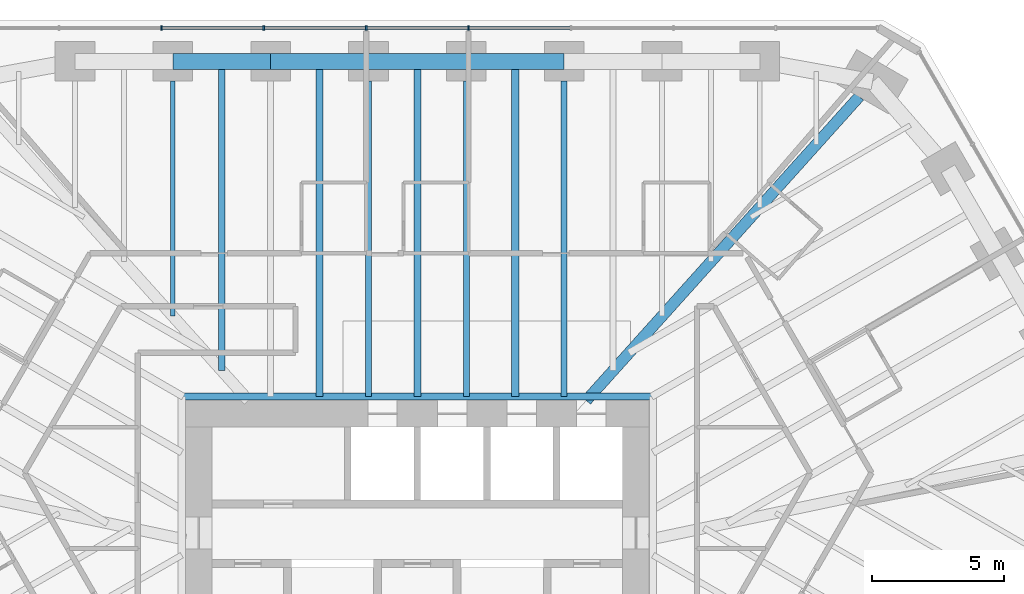
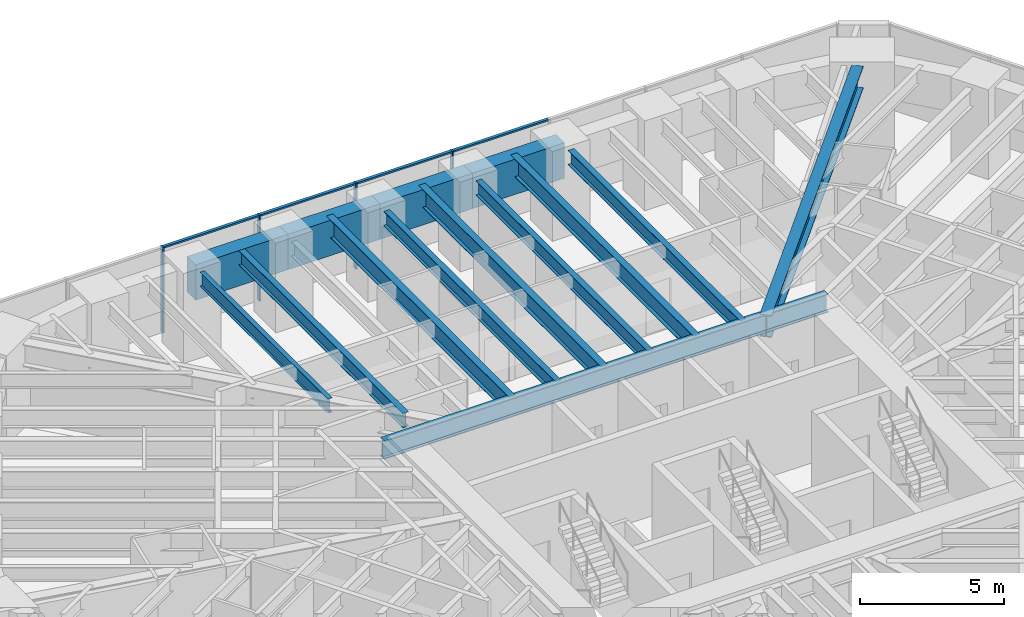
# One storey, part 8 of 16: 14 beams, 8 members, 1 element without a shape of its own.
"""IFC4 building model written with IfcOpenShell, lengths in metres."""

from ifc_helpers import new_model, si_unit, direction, frame, origin, origin_2d, place, context, subcontext, project, spatial, rectangle, i_section, extrude, material, material_profile, profile_set, type_object, element, aggregate, save


model = new_model("IFC4")

# Units and contexts
model_context = context("Model", 3, precision=1e-05, world=origin(), true_north=direction((0.0, 1.0)))
body_context = subcontext(model_context, "Body", "Model", "MODEL_VIEW")
ifc_project = project(units=[si_unit("LENGTHUNIT", "METRE"), si_unit("AREAUNIT", "SQUARE_METRE"), si_unit("VOLUMEUNIT", "CUBIC_METRE"), si_unit("PLANEANGLEUNIT", "RADIAN"), si_unit("MASSUNIT", "GRAM", prefix="KILO")], contexts=[model_context])

# Site, building, storey
site_placement = place(None, origin())
site = spatial("IfcSite", under=ifc_project, at=site_placement, CompositionType="ELEMENT")
building_placement = place(site_placement, origin())
building = spatial("IfcBuilding", under=site, at=building_placement, Name="Sandreach Pilgrim Tower", CompositionType="ELEMENT")
storey_placement = place(building_placement, frame((0.0, 0.0, 187.0)))
storey = spatial("IfcBuildingStorey", under=building, at=storey_placement, Name="L46", CompositionType="ELEMENT", Elevation=187.0)

# Curtain wall, members
ifc_material_1 = material(Name="Aluminium framed curtain wall", Category="aluminium")
curtain_wall_type = type_object("IfcCurtainWallType", Name="Upper hotel tower curtain wall", PredefinedType="NOTDEFINED", material=ifc_material_1)
curtain_wall_placement = place(storey_placement, origin())
curtain_wall = element("IfcCurtainWall", 1, at=curtain_wall_placement, inside=storey, type_object=curtain_wall_type, Name="CW-3 L46 N", PredefinedType="NOTDEFINED")
ifc_material_2 = material(Name="Aluminium extrusion", Category="aluminium")
ifc_material_profile_1 = material_profile(ifc_material_2, rectangle(XDim=0.06494140625, YDim=0.159912109375, at=origin_2d()), Name="CW-3M 65X160")
ifc_profile_set_1 = profile_set([ifc_material_profile_1], Name="Aluminium extrusion")
member_type_1 = type_object("IfcMemberType", Name="CW-3 mullion", PredefinedType="MULLION", material=ifc_profile_set_1)
member_1_placement = place(storey_placement, frame((-9.6611328125, 21.16015625, 0.0), z_axis=(0.0, 0.0, 1.0), x_axis=(1.0, 0.0, 0.0)))
member_1 = element("IfcMember", 2, at=member_1_placement, type_object=member_type_1, Name="CW-3 mullion 3", PredefinedType="MULLION", context=body_context, shape_type="SweptSolid", body=[
    extrude(rectangle(XDim=0.06494140625, YDim=0.159912109375, at=origin_2d()), origin(), (0.0, 0.0, 1.0), 3.639892578125),
])
member_2_placement = place(storey_placement, frame((-5.796630859375, 21.16015625, 0.0), z_axis=(0.0, 0.0, 1.0), x_axis=(1.0, 0.0, 0.0)))
member_2 = element("IfcMember", 3, at=member_2_placement, type_object=member_type_1, Name="CW-3 mullion 4", PredefinedType="MULLION", context=body_context, shape_type="SweptSolid", body=[
    extrude(rectangle(XDim=0.06494140625, YDim=0.159912109375, at=origin_2d()), origin(), (0.0, 0.0, 1.0), 3.639892578125),
])
member_3_placement = place(storey_placement, frame((-1.93212890625, 21.16015625, 0.0), z_axis=(0.0, 0.0, 1.0), x_axis=(1.0, 0.0, 0.0)))
member_3 = element("IfcMember", 4, at=member_3_placement, type_object=member_type_1, Name="CW-3 mullion 5", PredefinedType="MULLION", context=body_context, shape_type="SweptSolid", body=[
    extrude(rectangle(XDim=0.06494140625, YDim=0.159912109375, at=origin_2d()), origin(), (0.0, 0.0, 1.0), 3.639892578125),
])
member_4_placement = place(storey_placement, frame((1.93212890625, 21.16015625, 0.0), z_axis=(0.0, 0.0, 1.0), x_axis=(1.0, 0.0, 0.0)))
member_4 = element("IfcMember", 5, at=member_4_placement, type_object=member_type_1, Name="CW-3 mullion 6", PredefinedType="MULLION", context=body_context, shape_type="SweptSolid", body=[
    extrude(rectangle(XDim=0.06494140625, YDim=0.159912109375, at=origin_2d()), origin(), (0.0, 0.0, 1.0), 3.639892578125),
])
ifc_material_3 = material(Name="Aluminium extrusion", Category="aluminium")
ifc_material_profile_2 = material_profile(ifc_material_3, rectangle(XDim=0.1201171875, YDim=0.070068359375, at=origin_2d()), Name="CW-3T 120X70")
ifc_profile_set_2 = profile_set([ifc_material_profile_2], Name="Aluminium extrusion")
member_type_2 = type_object("IfcMemberType", Name="CW-3 transom", PredefinedType="USERDEFINED", material=ifc_profile_set_2)
member_5_placement = place(storey_placement, frame((-9.628662109375, 21.16015625, 3.60498046875), z_axis=(1.0, 0.0, 0.0), x_axis=(0.0, 1.0, 0.0)))
member_5 = element("IfcMember", 6, at=member_5_placement, type_object=member_type_2, Name="CW-3 head transom 3", ObjectType="TRANSOM", PredefinedType="USERDEFINED", context=body_context, shape_type="SweptSolid", body=[
    extrude(rectangle(XDim=0.1201171875, YDim=0.070068359375, at=origin_2d()), origin(), (0.0, 0.0, 1.0), 3.799560546875),
])
member_6_placement = place(storey_placement, frame((-5.76416015625, 21.16015625, 3.60498046875), z_axis=(1.0, 0.0, 0.0), x_axis=(0.0, 1.0, 0.0)))
member_6 = element("IfcMember", 7, at=member_6_placement, type_object=member_type_2, Name="CW-3 head transom 4", ObjectType="TRANSOM", PredefinedType="USERDEFINED", context=body_context, shape_type="SweptSolid", body=[
    extrude(rectangle(XDim=0.1201171875, YDim=0.070068359375, at=origin_2d()), origin(), (0.0, 0.0, 1.0), 3.799560546875),
])
member_7_placement = place(storey_placement, frame((-1.899658203125, 21.16015625, 3.60498046875), z_axis=(1.0, 0.0, 0.0), x_axis=(0.0, 1.0, 0.0)))
member_7 = element("IfcMember", 8, at=member_7_placement, type_object=member_type_2, Name="CW-3 head transom 5", ObjectType="TRANSOM", PredefinedType="USERDEFINED", context=body_context, shape_type="SweptSolid", body=[
    extrude(rectangle(XDim=0.1201171875, YDim=0.070068359375, at=origin_2d()), origin(), (0.0, 0.0, 1.0), 3.79931640625),
])
member_8_placement = place(storey_placement, frame((1.964599609375, 21.16015625, 3.60498046875), z_axis=(1.0, 0.0, 0.0), x_axis=(0.0, 1.0, 0.0)))
member_8 = element("IfcMember", 9, at=member_8_placement, type_object=member_type_2, Name="CW-3 head transom 6", ObjectType="TRANSOM", PredefinedType="USERDEFINED", context=body_context, shape_type="SweptSolid", body=[
    extrude(rectangle(XDim=0.1201171875, YDim=0.070068359375, at=origin_2d()), origin(), (0.0, 0.0, 1.0), 3.799560546875),
])
aggregate(curtain_wall, [member_1, member_2, member_3, member_4, member_5, member_6, member_7, member_8])

# Beams
ifc_material_4 = material(Name="Steel ASTM A992 Grade 50", Category="steel")
ifc_material_profile_3 = material_profile(ifc_material_4, i_section(OverallWidth=0.2666015625, OverallDepth=0.77978515625, WebThickness=0.0166015625, FlangeThickness=0.030029296875, at=origin_2d()), Name="W30X148")
ifc_profile_set_3 = profile_set([ifc_material_profile_3], Name="Steel ASTM A992 Grade 50")
beam_type_1 = type_object("IfcBeamType", Name="Core edge beam W30X148", PredefinedType="BEAM", material=ifc_profile_set_3)
beam_1_placement = place(storey_placement, frame((-8.893310546875, 7.243408203125, 3.25), z_axis=(1.0, 0.0, 0.0), x_axis=(0.0, 1.0, 0.0)))
element("IfcBeam", 10, at=beam_1_placement, inside=storey, type_object=beam_type_1, Name="BM L46 CEN", PredefinedType="BEAM", context=body_context, shape_type="SweptSolid", body=[
    extrude(i_section(OverallWidth=0.2666015625, OverallDepth=0.77978515625, WebThickness=0.0166015625, FlangeThickness=0.030029296875, at=origin_2d()), origin(), (0.0, 0.0, 1.0), 17.78662109375),
])
ifc_material_5 = material(Name="Steel ASTM A992 Grade 50", Category="steel")
ifc_material_profile_4 = material_profile(ifc_material_5, i_section(OverallWidth=0.421630859375, OverallDepth=0.937255859375, WebThickness=0.0224609375, FlangeThickness=0.039794921875, at=origin_2d()), Name="W36X282")
ifc_profile_set_4 = profile_set([ifc_material_profile_4], Name="Steel ASTM A992 Grade 50")
beam_type_2 = type_object("IfcBeamType", Name="Corner girder W36X282", PredefinedType="BEAM", material=ifc_profile_set_4)
beam_2_placement = place(storey_placement, frame((16.677001953125, 18.572509765625, 3.17138671875), z_axis=(-0.668116607722, -0.744056582853, 0.0), x_axis=(0.744056582853, -0.668116607722, 0.0)))
element("IfcBeam", 11, at=beam_2_placement, inside=storey, type_object=beam_type_2, Name="BM L46 CG09", PredefinedType="BEAM", context=body_context, shape_type="SweptSolid", body=[
    extrude(i_section(OverallWidth=0.421630859375, OverallDepth=0.937255859375, WebThickness=0.0224609375, FlangeThickness=0.039794921875, at=origin_2d()), origin(), (0.0, 0.0, 1.0), 15.418701171875),
])
ifc_material_6 = material(Name="Steel ASTM A992 Grade 50", Category="steel")
ifc_material_profile_5 = material_profile(ifc_material_6, i_section(OverallWidth=0.1787109375, OverallDepth=0.60205078125, WebThickness=0.010986328125, FlangeThickness=0.014892578125, at=origin_2d()), Name="W24X62")
ifc_profile_set_5 = profile_set([ifc_material_profile_5], Name="Steel ASTM A992 Grade 50")
beam_type_3 = type_object("IfcBeamType", Name="Floor beam W24X62", PredefinedType="BEAM", material=ifc_profile_set_5)
beam_3_placement = place(storey_placement, frame((-9.231201171875, 19.150146484375, 3.339111328125), z_axis=(0.0, -1.0, 0.0), x_axis=(1.0, 0.0, 0.0)))
element("IfcBeam", 12, at=beam_3_placement, inside=storey, type_object=beam_type_3, Name="BM L46 F02", PredefinedType="BEAM", context=body_context, shape_type="SweptSolid", body=[
    extrude(i_section(OverallWidth=0.1787109375, OverallDepth=0.60205078125, WebThickness=0.010986328125, FlangeThickness=0.014892578125, at=origin_2d()), origin(), (0.0, 0.0, 1.0), 8.86962890625),
])
ifc_material_7 = material(Name="Steel ASTM A992 Grade 50", Category="steel")
ifc_material_profile_6 = material_profile(ifc_material_7, i_section(OverallWidth=0.23046875, OverallDepth=0.6171875, WebThickness=0.01318359375, FlangeThickness=0.022216796875, at=origin_2d()), Name="W24X94")
ifc_profile_set_6 = profile_set([ifc_material_profile_6], Name="Steel ASTM A992 Grade 50")
beam_type_4 = type_object("IfcBeamType", Name="Floor beam W24X94", PredefinedType="BEAM", material=ifc_profile_set_6)
for number, where, z_axis, x_axis, name in (
    (13, (-1.84619140625, 19.150146484375, 3.331298828125), (0.0, -1.0, 0.0), (1.0, 0.0, 0.0), "BM L46 F04"),
    (14, (1.84619140625, 19.150146484375, 3.331298828125), (0.0, -1.0, 0.0), (1.0, 0.0, 0.0), "BM L46 F05"),
    (15, (5.538818359375, 19.150146484375, 3.331298828125), (0.0, -1.0, 0.0), (1.0, 0.0, 0.0), "BM L46 F06"),
):
    element("IfcBeam", number, at=place(storey_placement, frame(where, z_axis=z_axis, x_axis=x_axis)), inside=storey, type_object=beam_type_4, Name=name, PredefinedType="BEAM", context=body_context, shape_type="SweptSolid", body=[
        extrude(i_section(OverallWidth=0.23046875, OverallDepth=0.6171875, WebThickness=0.01318359375, FlangeThickness=0.022216796875, at=origin_2d()), origin(), (0.0, 0.0, 1.0), 11.90673828125),
    ])
beam_4_placement = place(storey_placement, frame((-7.385009765625, 19.900146484375, 3.331298828125), z_axis=(0.0, -1.0, 0.0), x_axis=(1.0, 0.0, 0.0)))
element("IfcBeam", 16, at=beam_4_placement, inside=storey, type_object=beam_type_4, Name="BM L46 FM02", PredefinedType="BEAM", context=body_context, shape_type="SweptSolid", body=[
    extrude(i_section(OverallWidth=0.23046875, OverallDepth=0.6171875, WebThickness=0.01318359375, FlangeThickness=0.022216796875, at=origin_2d()), origin(), (0.0, 0.0, 1.0), 11.67578125),
])
ifc_material_8 = material(Name="Steel ASTM A992 Grade 50", Category="steel")
ifc_material_profile_7 = material_profile(ifc_material_8, i_section(OverallWidth=0.2666015625, OverallDepth=0.761962890625, WebThickness=0.014404296875, FlangeThickness=0.021484375, at=origin_2d()), Name="W30X116")
ifc_profile_set_7 = profile_set([ifc_material_profile_7], Name="Steel ASTM A992 Grade 50")
beam_type_5 = type_object("IfcBeamType", Name="Floor beam W30X116", PredefinedType="BEAM", material=ifc_profile_set_7)
for number, where, z_axis, x_axis, name in (
    (17, (-3.6923828125, 19.900146484375, 3.259033203125), (0.0, -1.0, 0.0), (1.0, 0.0, 0.0), "BM L46 FM03"),
    (18, (0.0, 19.900146484375, 3.259033203125), (0.0, -1.0, 0.0), (1.0, 0.0, 0.0), "BM L46 FM04"),
    (19, (3.6923828125, 19.900146484375, 3.259033203125), (0.0, -1.0, 0.0), (1.0, 0.0, 0.0), "BM L46 FM05"),
):
    element("IfcBeam", number, at=place(storey_placement, frame(where, z_axis=z_axis, x_axis=x_axis)), inside=storey, type_object=beam_type_5, Name=name, PredefinedType="BEAM", context=body_context, shape_type="SweptSolid", body=[
        extrude(i_section(OverallWidth=0.2666015625, OverallDepth=0.761962890625, WebThickness=0.014404296875, FlangeThickness=0.021484375, at=origin_2d()), origin(), (0.0, 0.0, 1.0), 12.65673828125),
    ])
ifc_material_9 = material(Name="Concrete 10000 psi", Category="concrete")
ifc_material_profile_8 = material_profile(ifc_material_9, rectangle(XDim=0.60009765625, YDim=1.5, at=origin_2d()), Name="RC600X1500")
ifc_profile_set_8 = profile_set([ifc_material_profile_8], Name="Concrete 10000 psi")
beam_type_6 = type_object("IfcBeamType", Name="Spandrel beam RC600X1500", PredefinedType="SPANDREL", material=ifc_profile_set_8)
beam_5_placement = place(storey_placement, frame((-9.231201171875, 19.900146484375, 2.889892578125), z_axis=(1.0, 0.0, 0.0), x_axis=(0.0, 1.0, 0.0)))
element("IfcBeam", 20, at=beam_5_placement, inside=storey, type_object=beam_type_6, Name="BM L46 SP02", PredefinedType="SPANDREL", context=body_context, shape_type="SweptSolid", body=[
    extrude(rectangle(XDim=0.60009765625, YDim=1.5, at=origin_2d()), origin(), (0.0, 0.0, 1.0), 3.6923828125),
])
beam_6_placement = place(storey_placement, frame((-5.538818359375, 19.900146484375, 2.889892578125), z_axis=(1.0, 0.0, 0.0), x_axis=(0.0, 1.0, 0.0)))
element("IfcBeam", 21, at=beam_6_placement, inside=storey, type_object=beam_type_6, Name="BM L46 SP03", PredefinedType="SPANDREL", context=body_context, shape_type="SweptSolid", body=[
    extrude(rectangle(XDim=0.60009765625, YDim=1.5, at=origin_2d()), origin(), (0.0, 0.0, 1.0), 3.692626953125),
])
beam_7_placement = place(storey_placement, frame((-1.84619140625, 19.900146484375, 2.889892578125), z_axis=(1.0, 0.0, 0.0), x_axis=(0.0, 1.0, 0.0)))
element("IfcBeam", 22, at=beam_7_placement, inside=storey, type_object=beam_type_6, Name="BM L46 SP04", PredefinedType="SPANDREL", context=body_context, shape_type="SweptSolid", body=[
    extrude(rectangle(XDim=0.60009765625, YDim=1.5, at=origin_2d()), origin(), (0.0, 0.0, 1.0), 3.6923828125),
])
beam_8_placement = place(storey_placement, frame((1.84619140625, 19.900146484375, 2.889892578125), z_axis=(1.0, 0.0, 0.0), x_axis=(0.0, 1.0, 0.0)))
element("IfcBeam", 23, at=beam_8_placement, inside=storey, type_object=beam_type_6, Name="BM L46 SP05", PredefinedType="SPANDREL", context=body_context, shape_type="SweptSolid", body=[
    extrude(rectangle(XDim=0.60009765625, YDim=1.5, at=origin_2d()), origin(), (0.0, 0.0, 1.0), 3.692626953125),
])

save(model, "model.ifc")
